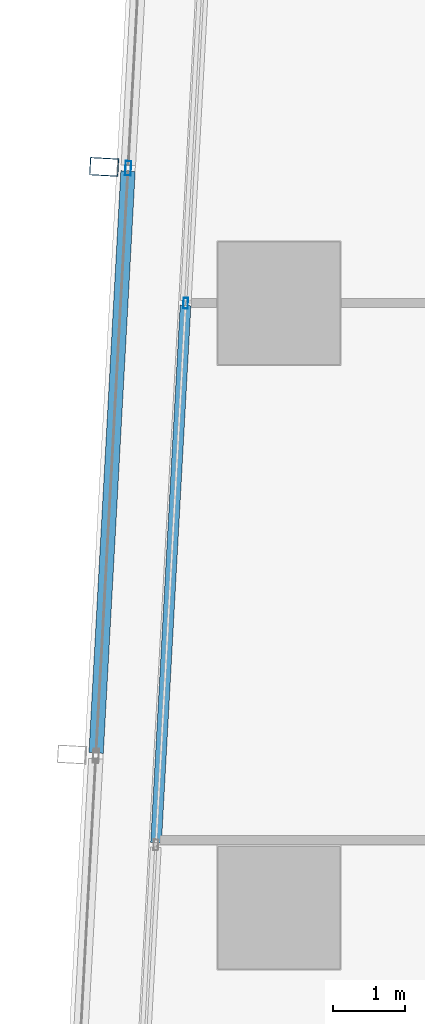
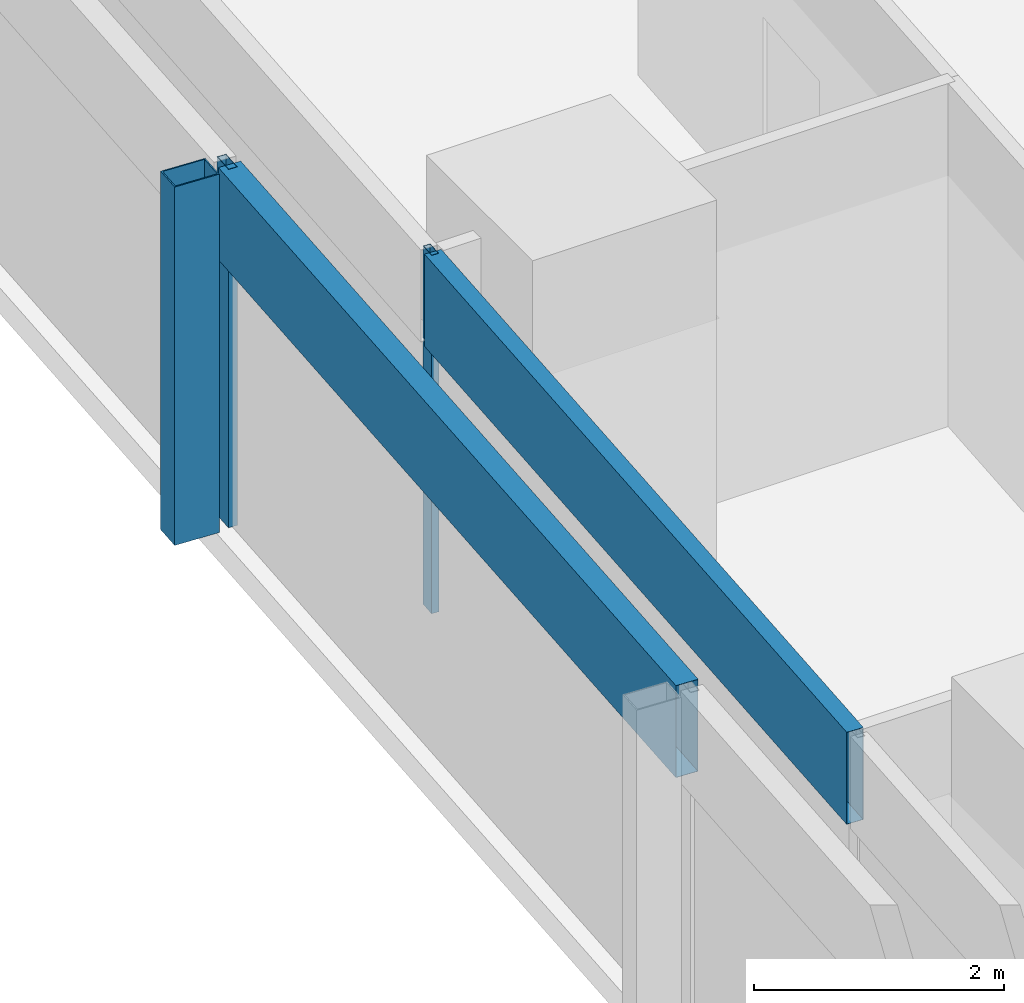
# One storey, part 14 of 40: 5 members, 2 elements without a shape of their own.
"""IFC4 building model written with IfcOpenShell, lengths in metres."""

import ifcopenshell
import ifcopenshell.guid

model = None  # the IFC model being written
_history = None  # IfcOwnerHistory: only IFC2X3 demands one
_inside = {}  # id of a spatial element -> (the spatial element, [elements in it])
_under = {}  # id of a project, library or spatial element -> (it, [spatial elements below it])
_declared = {}  # id of a project -> (the project, [libraries it declares])
_typed = {}  # id of a type object -> (the type object, [elements of that type])
_made_of = {}  # id of a material, layer set ... -> (it, [elements and type objects made of it])


def new_model(schema):
    """Start an empty IFC model of exactly this schema.

    Asked for "IFC4X3", IfcOpenShell would pick the latest addendum, in which some entities
    have other attributes; the version numbers below select the first issue.
    IFC2X3 requires an IfcOwnerHistory on every rooted entity: one is made here for all.
    """
    global model, _history
    if schema == "IFC4X3":
        model = ifcopenshell.file(schema_version=(4, 3, 0, 0))
    else:
        model = ifcopenshell.file(schema=schema)
    _inside.clear()
    _under.clear()
    _declared.clear()
    _typed.clear()
    _made_of.clear()
    _history = None
    if model.schema == "IFC2X3":
        org = make("IfcOrganization", Name="unknown")
        user = make(
            "IfcPersonAndOrganization",
            ThePerson=make("IfcPerson", FamilyName="unknown"),
            TheOrganization=org,
        )
        app = make(
            "IfcApplication",
            ApplicationDeveloper=org,
            Version="unknown",
            ApplicationFullName="unknown",
            ApplicationIdentifier="unknown",
        )
        _history = make(
            "IfcOwnerHistory",
            OwningUser=user,
            OwningApplication=app,
            ChangeAction="ADDED",
            CreationDate=0,
        )
    return model


def make(cls, **values):
    """One entity of the class cls with the attributes given. An attribute that is None is left unset."""
    return model.create_entity(
        cls, **{name: value for name, value in values.items() if value is not None}
    )


def rooted(cls, **values):
    """An entity with a GlobalId (a new one), such as an element, a storey or a relation."""
    return make(cls, GlobalId=ifcopenshell.guid.new(), OwnerHistory=_history, **values)


def si_unit(unit_type, name, prefix=None):
    """IfcSIUnit, for example si_unit("LENGTHUNIT", "METRE", prefix="MILLI")."""
    return make("IfcSIUnit", UnitType=unit_type, Prefix=prefix, Name=name)


def assignment(units):
    """IfcUnitAssignment: the units of a project."""
    return None if units is None else make("IfcUnitAssignment", Units=units)


def point(xyz):
    """IfcCartesianPoint."""
    return None if xyz is None else make("IfcCartesianPoint", Coordinates=xyz)


def direction(xyz):
    """IfcDirection."""
    return None if xyz is None else make("IfcDirection", DirectionRatios=xyz)


def frame(location, z_axis=None, x_axis=None):
    """IfcAxis2Placement3D, a coordinate frame: its origin and axes. An axis left out is left unset."""
    return make(
        "IfcAxis2Placement3D",
        Location=point(location),
        Axis=direction(z_axis),
        RefDirection=direction(x_axis),
    )


def frame_2d(location, x_axis=None):
    """IfcAxis2Placement2D, a coordinate frame in the plane: its origin and x axis."""
    return make(
        "IfcAxis2Placement2D", Location=point(location), RefDirection=direction(x_axis)
    )


def origin():
    """The frame at (0, 0, 0) with its axes left unset."""
    return frame((0.0, 0.0, 0.0))


def origin_2d():
    """The frame at (0, 0) in the plane with its x axis left unset."""
    return frame_2d((0.0, 0.0))


def place(relative_to, where):
    """IfcLocalPlacement: puts the frame where relative to a parent placement (None: the world)."""
    return make(
        "IfcLocalPlacement", PlacementRelTo=relative_to, RelativePlacement=where
    )


def context(
    kind, dimensions, precision=None, world=None, true_north=None, identifier=None
):
    """IfcGeometricRepresentationContext, for example the 3D "Model" context."""
    return make(
        "IfcGeometricRepresentationContext",
        ContextIdentifier=identifier,
        ContextType=kind,
        CoordinateSpaceDimension=dimensions,
        Precision=precision,
        WorldCoordinateSystem=world,
        TrueNorth=true_north,
    )


def subcontext(parent, identifier, kind, view, scale=None):
    """IfcGeometricRepresentationSubContext, for example "Body" below "Model"."""
    return make(
        "IfcGeometricRepresentationSubContext",
        ContextIdentifier=identifier,
        ContextType=kind,
        ParentContext=parent,
        TargetScale=scale,
        TargetView=view,
    )


def project(units=None, contexts=None):
    """IfcProject with its units and contexts."""
    return rooted(
        "IfcProject",
        Name="project",
        RepresentationContexts=contexts,
        UnitsInContext=assignment(units),
    )


def spatial(cls, under=None, at=None, **own):
    """A site, building, storey or space (cls), placed at a placement, below another one or the project."""
    s = rooted(cls, ObjectPlacement=at, **own)
    if under is not None:
        _under.setdefault(under.id(), (under, []))[1].append(s)
    return s


def profile(cls, at=None, kind="AREA", **sizes):
    """A parametric profile (cls). Its sizes go by their IFC names, for example OverallWidth=200.0."""
    return make(cls, ProfileType=kind, Position=at, **sizes)


def hollow_rectangle(**sizes):
    """IfcRectangleHollowProfileDef."""
    return profile("IfcRectangleHollowProfileDef", **sizes)


def extrude(swept, where, along, depth):
    """IfcExtrudedAreaSolid: the profile swept, set in the frame where, extruded along a direction by depth."""
    return make(
        "IfcExtrudedAreaSolid",
        SweptArea=swept,
        Position=where,
        ExtrudedDirection=direction(along),
        Depth=depth,
    )


def shape(context_of_items, identifier, shape_type, items):
    """IfcShapeRepresentation: the items that make up one representation, for example the "Body"."""
    return make(
        "IfcShapeRepresentation",
        ContextOfItems=context_of_items,
        RepresentationIdentifier=identifier,
        RepresentationType=shape_type,
        Items=items,
    )


def material(Name=None, Category=None):
    """IfcMaterial."""
    return make("IfcMaterial", Name=Name, Category=Category)


def material_profile(
    of_material, cross_section, Name=None, Category=None, Priority=None
):
    """IfcMaterialProfile: a cross section and its material."""
    return make(
        "IfcMaterialProfile",
        Name=Name,
        Material=of_material,
        Profile=cross_section,
        Priority=Priority,
        Category=Category,
    )


def profile_set(profiles, Name=None, composite=None):
    """IfcMaterialProfileSet."""
    return make(
        "IfcMaterialProfileSet",
        Name=Name,
        MaterialProfiles=profiles,
        CompositeProfile=composite,
    )


def made_of(thing, what):
    """Note that an element or type object is made of a material, layer set ...; save() writes the relation."""
    if what is not None:
        _made_of.setdefault(what.id(), (what, []))[1].append(thing)
    return thing


def type_object(cls, material=None, **own):
    """A type object (cls), such as IfcWallType, which elements share."""
    return made_of(rooted(cls, **own), material)


def element(
    cls,
    number,
    at=None,
    inside=None,
    cuts=None,
    type_object=None,
    material=None,
    context=None,
    identifier="Body",
    shape_type=None,
    held_by="IfcProductDefinitionShape",
    body=None,
    shapes=None,
    **own,
):
    """One element of the class cls, such as IfcWall. Its Tag is "e" and its number.

    at: its placement. inside: the storey or other place that contains it. cuts: it is an
    opening in that element (IfcRelVoidsElement). A single representation is given by context,
    identifier, shape_type and body (its items); several are given by shapes. held_by: the class
    of the entity that holds the representations. save() writes the other relations.
    """
    e = rooted(cls, Tag="e%d" % number, ObjectPlacement=at, **own)
    if body is not None:
        shapes = [shape(context, identifier, shape_type, body)]
    if shapes is not None:
        e.Representation = make(held_by, Representations=shapes)
    if inside is not None:
        _inside.setdefault(inside.id(), (inside, []))[1].append(e)
    if cuts is not None:
        rooted(
            "IfcRelVoidsElement", RelatingBuildingElement=cuts, RelatedOpeningElement=e
        )
    if type_object is not None:
        _typed.setdefault(type_object.id(), (type_object, []))[1].append(e)
    return made_of(e, material)


def aggregate(whole, parts):
    """IfcRelAggregates: a whole, such as a stair, and the parts it consists of."""
    return rooted("IfcRelAggregates", RelatingObject=whole, RelatedObjects=parts)


def save(model, path):
    """Write the relations noted so far, then the file.

    IfcRelAggregates (storeys below a building ...), IfcRelContainedInSpatialStructure (elements
    in a storey), IfcRelDefinesByType, IfcRelAssociatesMaterial and IfcRelDeclares: one each for
    every whole, place, type object, material and project.
    """
    for whole, parts in _under.values():
        aggregate(whole, parts)
    for where, things in _inside.values():
        rooted(
            "IfcRelContainedInSpatialStructure",
            RelatedElements=things,
            RelatingStructure=where,
        )
    for kind, things in _typed.values():
        rooted("IfcRelDefinesByType", RelatedObjects=things, RelatingType=kind)
    for what, things in _made_of.values():
        rooted("IfcRelAssociatesMaterial", RelatedObjects=things, RelatingMaterial=what)
    for by, libraries in _declared.values():
        rooted("IfcRelDeclares", RelatingContext=by, RelatedDefinitions=libraries)
    model.write(path)


model = new_model("IFC4")

# Units and contexts
model_context = context("Model", 3, precision=1e-05, world=origin(), true_north=direction((0.0, 1.0)))
body_context = subcontext(model_context, "Body", "Model", "MODEL_VIEW")
ifc_project = project(units=[si_unit("LENGTHUNIT", "METRE"), si_unit("AREAUNIT", "SQUARE_METRE"), si_unit("VOLUMEUNIT", "CUBIC_METRE"), si_unit("PLANEANGLEUNIT", "RADIAN"), si_unit("MASSUNIT", "GRAM", prefix="KILO")], contexts=[model_context])

# Site, building, storey
site_placement = place(None, origin())
site = spatial("IfcSite", under=ifc_project, at=site_placement, CompositionType="ELEMENT")
building_placement = place(site_placement, origin())
building = spatial("IfcBuilding", under=site, at=building_placement, Name="Rekha Terrace Tower", CompositionType="ELEMENT")
storey_placement = place(building_placement, frame((0.0, 0.0, 117.800048828125)))
storey = spatial("IfcBuildingStorey", under=building, at=storey_placement, Name="L29", CompositionType="ELEMENT", Elevation=117.800048828125)

# Curtain wall, member
ifc_material_1 = material(Name="Aluminium framing", Category="aluminium")
curtain_wall_type_1 = type_object("IfcCurtainWallType", Name="CW2 double skin outer glazing", PredefinedType="USERDEFINED", material=ifc_material_1)
curtain_wall_1_placement = place(storey_placement, origin())
curtain_wall_1 = element("IfcCurtainWall", 1, at=curtain_wall_1_placement, inside=storey, type_object=curtain_wall_type_1, Name="CW2 double skin outer glazing", ObjectType="DOUBLE SKIN OUTER GLAZING", PredefinedType="USERDEFINED")
ifc_material_2 = material(Name="Steel S355 with fluorocarbon finish", Category="steel")
ifc_material_profile_1 = material_profile(ifc_material_2, hollow_rectangle(XDim=0.25, YDim=0.39990234375, WallThickness=0.012451171875, at=origin_2d()), Name="RHS400x250x12.5")
ifc_profile_set_1 = profile_set([ifc_material_profile_1], Name="Steel S355 with fluorocarbon finish")
member_type_1 = type_object("IfcMemberType", Name="BL1 facade blade RHS 400 x 250", PredefinedType="USERDEFINED", material=ifc_profile_set_1)
member_1_placement = place(storey_placement, frame((5.969482421875, 52.29638671875, 0.0), z_axis=(0.0, 0.0, 1.0), x_axis=(-0.054742798353, -0.998500488747, 0.0)))
member_1 = element("IfcMember", 2, at=member_1_placement, type_object=member_type_1, Name="Facade blade", ObjectType="FACADE BLADE", PredefinedType="USERDEFINED", context=body_context, shape_type="SweptSolid", body=[
    extrude(hollow_rectangle(XDim=0.25, YDim=0.39990234375, WallThickness=0.012451171875, at=origin_2d()), origin(), (0.0, 0.0, 1.0), 3.5),
])

# Curtain wall, members
curtain_wall_type_2 = type_object("IfcCurtainWallType", Name="CW1 double skin inner glazing", PredefinedType="USERDEFINED", material=ifc_material_1)
curtain_wall_2_placement = place(storey_placement, origin())
curtain_wall_2 = element("IfcCurtainWall", 3, at=curtain_wall_2_placement, inside=storey, type_object=curtain_wall_type_2, Name="CW1 double skin inner glazing", ObjectType="DOUBLE SKIN INNER GLAZING", PredefinedType="USERDEFINED")
ifc_material_3 = material(Name="Aluminium mullion section", Category="aluminium")
ifc_material_profile_2 = material_profile(ifc_material_3, hollow_rectangle(XDim=0.06494140625, YDim=0.14990234375, WallThickness=0.00390625, at=origin_2d()), Name="AL RHS 65x150")
ifc_profile_set_2 = profile_set([ifc_material_profile_2], Name="Aluminium mullion section")
member_type_2 = type_object("IfcMemberType", Name="CW1 mullion RHS 65 x 150", PredefinedType="MULLION", material=ifc_profile_set_2)
member_2_placement = place(storey_placement, frame((7.1025390625, 50.40234375, 0.0), z_axis=(0.0, 0.0, 1.0), x_axis=(0.99850051318, -0.054742352707, 0.0)))
member_2 = element("IfcMember", 4, at=member_2_placement, type_object=member_type_2, Name="CW1 mullion 2", PredefinedType="MULLION", context=body_context, shape_type="SweptSolid", body=[
    extrude(hollow_rectangle(XDim=0.06494140625, YDim=0.14990234375, WallThickness=0.00390625, at=origin_2d()), origin(), (0.0, 0.0, 1.0), 3.5),
])
ifc_material_4 = material(Name="Insulated aluminium spandrel box", Category="aluminium")
ifc_material_profile_3 = material_profile(ifc_material_4, hollow_rectangle(XDim=0.14990234375, YDim=0.89990234375, WallThickness=0.0029296875, at=origin_2d()), Name="AL SPANDREL BOX 150x900")
ifc_profile_set_3 = profile_set([ifc_material_profile_3], Name="Insulated aluminium spandrel box")
member_type_3 = type_object("IfcMemberType", Name="CW1 spandrel transom 150 x 900", PredefinedType="USERDEFINED", material=ifc_profile_set_3)
member_3_placement = place(storey_placement, frame((7.100830078125, 50.369873046875, 3.050048828125), z_axis=(-0.054764629515, -0.998499291614, 0.0), x_axis=(0.998499291614, -0.054764629515, 0.0)))
member_3 = element("IfcMember", 5, at=member_3_placement, type_object=member_type_3, Name="CW1 spandrel transom 2", ObjectType="TRANSOM", PredefinedType="USERDEFINED", context=body_context, shape_type="SweptSolid", body=[
    extrude(hollow_rectangle(XDim=0.14990234375, YDim=0.89990234375, WallThickness=0.0029296875, at=origin_2d()), origin(), (0.0, 0.0, 1.0), 7.47607421875),
])
aggregate(curtain_wall_2, [member_2, member_3])

# Member
ifc_material_profile_4 = material_profile(ifc_material_3, hollow_rectangle(XDim=0.080078125, YDim=0.199951171875, WallThickness=0.00390625, at=origin_2d()), Name="AL RHS 80x200")
ifc_profile_set_4 = profile_set([ifc_material_profile_4], Name="Aluminium mullion section")
member_type_4 = type_object("IfcMemberType", Name="CW2 mullion RHS 80 x 200", PredefinedType="MULLION", material=ifc_profile_set_4)
member_4_placement = place(storey_placement, frame((6.303955078125, 52.278076171875, 0.0), z_axis=(0.0, 0.0, 1.0), x_axis=(0.99850051318, -0.054742352707, 0.0)))
member_4 = element("IfcMember", 6, at=member_4_placement, type_object=member_type_4, Name="CW2 mullion 2", PredefinedType="MULLION", context=body_context, shape_type="SweptSolid", body=[
    extrude(hollow_rectangle(XDim=0.080078125, YDim=0.199951171875, WallThickness=0.00390625, at=origin_2d()), origin(), (0.0, 0.0, 1.0), 3.5),
])

ifc_material_profile_5 = material_profile(ifc_material_4, hollow_rectangle(XDim=0.199951171875, YDim=0.89990234375, WallThickness=0.0029296875, at=origin_2d()), Name="AL SPANDREL BOX 200x900")
ifc_profile_set_5 = profile_set([ifc_material_profile_5], Name="Insulated aluminium spandrel box")
member_type_5 = type_object("IfcMemberType", Name="CW2 spandrel transom 200 x 900", PredefinedType="USERDEFINED", material=ifc_profile_set_5)
member_5_placement = place(storey_placement, frame((6.3017578125, 52.23828125, 3.050048828125), z_axis=(-0.054735499102, -0.998500888902, 0.0), x_axis=(0.998500888902, -0.054735499102, 0.0)))
member_5 = element("IfcMember", 7, at=member_5_placement, type_object=member_type_5, Name="CW2 spandrel transom 2", ObjectType="TRANSOM", PredefinedType="USERDEFINED", context=body_context, shape_type="SweptSolid", body=[
    extrude(hollow_rectangle(XDim=0.199951171875, YDim=0.89990234375, WallThickness=0.0029296875, at=origin_2d()), origin(), (0.0, 0.0, 1.0), 8.10009765625),
])

aggregate(curtain_wall_1, [member_4, member_5, member_1])

save(model, "model.ifc")
